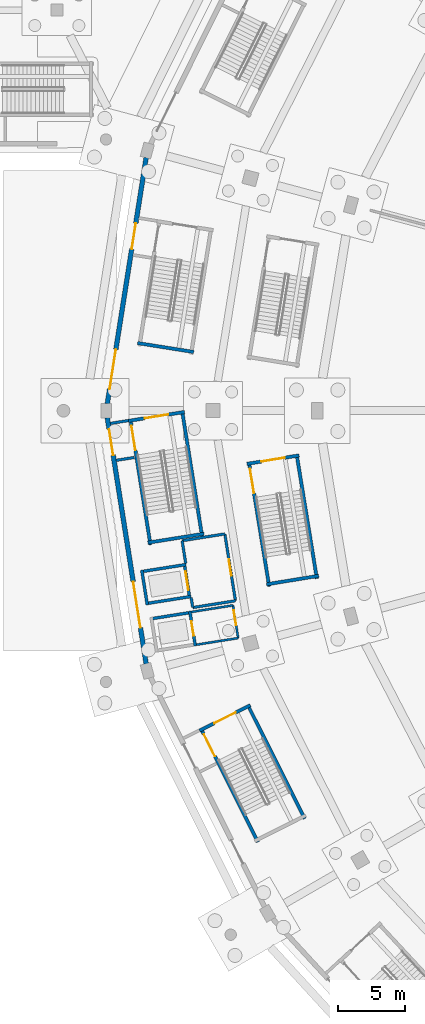
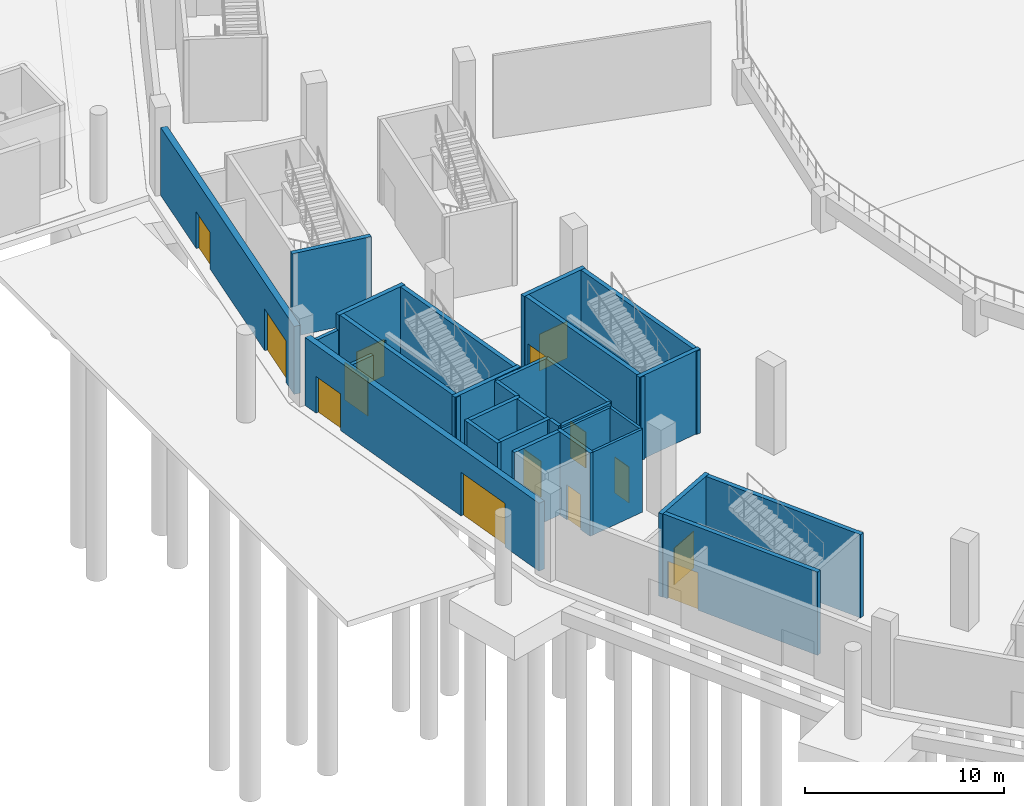
# One storey, part 34 of 103: 30 walls, 14 doors, 14 openings.
"""IFC4 building model written with IfcOpenShell, lengths in metres."""

from ifc_helpers import new_model, si_unit, direction, frame, frame_2d, origin, place, context, subcontext, project, spatial, rectangle, extrude, material, layer, layer_set, type_object, element, fill, save


model = new_model("IFC4")

# Units and contexts
model_context = context("Model", 3, precision=1e-05, world=origin(), true_north=direction((0.0, 1.0)))
body_context = subcontext(model_context, "Body", "Model", "MODEL_VIEW")
ifc_project = project(units=[si_unit("LENGTHUNIT", "METRE"), si_unit("AREAUNIT", "SQUARE_METRE"), si_unit("VOLUMEUNIT", "CUBIC_METRE"), si_unit("PLANEANGLEUNIT", "RADIAN"), si_unit("MASSUNIT", "GRAM", prefix="KILO")], contexts=[model_context])

# Site, building, storey
site_placement = place(None, origin())
site = spatial("IfcSite", under=ifc_project, at=site_placement, CompositionType="ELEMENT")
building_placement = place(site_placement, origin())
building = spatial("IfcBuilding", under=site, at=building_placement, Name="Zevraka Park Crest Stadium", CompositionType="ELEMENT")
storey_placement = place(building_placement, origin())
storey = spatial("IfcBuildingStorey", under=building, at=storey_placement, Name="L00", CompositionType="ELEMENT", Elevation=0.0)

# Wall, openings, doors
ifc_material_1 = material(Name="Limestone and red clay brick masonry", Category="masonry")
ifc_layer_1 = layer(ifc_material_1, 0.35009765625)
ifc_layer_set_1 = layer_set([ifc_layer_1], Name="Limestone and red clay brick masonry")
wall_type_1 = type_object("IfcWallType", Name="EW01", PredefinedType="STANDARD", material=ifc_layer_set_1)
wall_1_placement = place(storey_placement, frame((21.782958984375, 92.52490234375, 0.0), z_axis=(0.0, 0.0, 1.0), x_axis=(0.155972645656, 0.987761374932, 0.0)))
wall_1 = element("IfcWall", 1, at=wall_1_placement, inside=storey, type_object=wall_type_1, Name="L00 Pointed-Arch Colonnade Wall EW01 11", PredefinedType="STANDARD", context=body_context, shape_type="SweptSolid", body=[
    extrude(rectangle(XDim=18.670654296875, YDim=0.35009765625, at=frame_2d((9.33544921875, 0.0))), origin(), (0.0, 0.0, 1.0), 4.1650390625),
])
opening_1_placement = place(wall_1_placement, frame((11.72998046875, 0.0, 0.0)))
opening_1 = element("IfcOpeningElement", 2, at=opening_1_placement, cuts=wall_1, Name="Opening D-L00-EX-ST12", PredefinedType="OPENING", context=body_context, shape_type="SweptSolid", body=[
    extrude(rectangle(XDim=1.949951171875, YDim=2.25, at=frame_2d((0.97509765625, 1.125))), frame((0.0, 0.18505859375, 0.0), z_axis=(0.0, -1.0, 0.0), x_axis=(1.0, 0.0, 0.0)), (0.0, 0.0, 1.0), 0.3701171875),
])
opening_2_placement = place(wall_1_placement, frame((1.114013671875, 0.0, 0.0)))
opening_2 = element("IfcOpeningElement", 3, at=opening_2_placement, cuts=wall_1, Name="Opening D-L00-E12", PredefinedType="OPENING", context=body_context, shape_type="SweptSolid", body=[
    extrude(rectangle(XDim=3.0, YDim=2.550048828125, at=frame_2d((1.5, 1.27490234375))), frame((0.0, 0.18505859375, 0.0), z_axis=(0.0, -1.0, 0.0), x_axis=(1.0, 0.0, 0.0)), (0.0, 0.0, 1.0), 0.3701171875),
])
ifc_material_2 = material(Name="Thermally broken architectural aluminium and safety glass", Category="aluminium")
door_type_1 = type_object("IfcDoorType", Name="ED04", OperationType="NOTDEFINED", PredefinedType="DOOR", material=ifc_material_2)
door_1_placement = place(opening_2_placement, origin())
door_1 = element("IfcDoor", 4, at=door_1_placement, inside=storey, type_object=door_type_1, Name="Concourse Final Exit E12", OperationType="DOUBLE_DOOR_SINGLE_SWING", OverallHeight=2.550048828125, OverallWidth=3.0, PredefinedType="DOOR", context=body_context, shape_type="SweptSolid", body=[
    extrude(rectangle(XDim=3.0, YDim=2.550048828125, at=frame_2d((1.5, 1.27490234375))), frame((0.0, 0.02490234375, 0.0), z_axis=(0.0, -1.0, 0.0), x_axis=(1.0, 0.0, 0.0)), (0.0, 0.0, 1.0), 0.050048828125),
])
fill(opening_2, door_1)
ifc_material_3 = material(Name="Thermally broken architectural aluminium and safety glass", Category="aluminium")
door_type_2 = type_object("IfcDoorType", Name="ED05", OperationType="NOTDEFINED", PredefinedType="DOOR", material=ifc_material_3)
door_2_placement = place(opening_1_placement, origin())
door_2 = element("IfcDoor", 5, at=door_2_placement, inside=storey, type_object=door_type_2, Name="Stair Final Exit Discharge Door D-L00-EX-ST12", OperationType="DOUBLE_DOOR_SINGLE_SWING", OverallHeight=2.25, OverallWidth=1.949951171875, PredefinedType="DOOR", context=body_context, shape_type="SweptSolid", body=[
    extrude(rectangle(XDim=1.949951171875, YDim=2.25, at=frame_2d((0.97509765625, 1.125))), frame((0.0, 0.02490234375, 0.0), z_axis=(0.0, -1.0, 0.0), x_axis=(1.0, 0.0, 0.0)), (0.0, 0.0, 1.0), 0.050048828125),
])
fill(opening_1, door_2)

wall_2_placement = place(storey_placement, frame((24.695068359375, 73.032958984375, 0.0), z_axis=(0.0, 0.0, 1.0), x_axis=(-0.155972645656, 0.987761374932, 0.0)))
wall_2 = element("IfcWall", 6, at=wall_2_placement, inside=storey, type_object=wall_type_1, Name="L00 Pointed-Arch Colonnade Wall EW01 12", PredefinedType="STANDARD", context=body_context, shape_type="SweptSolid", body=[
    extrude(rectangle(XDim=18.670654296875, YDim=0.35009765625, at=frame_2d((9.33544921875, 0.0))), origin(), (0.0, 0.0, 1.0), 4.1650390625),
])
opening_3_placement = place(wall_2_placement, frame((15.840087890625, 0.0, 0.0)))
opening_3 = element("IfcOpeningElement", 7, at=opening_3_placement, cuts=wall_2, Name="Opening D-L00-EX-ST13", PredefinedType="OPENING", context=body_context, shape_type="SweptSolid", body=[
    extrude(rectangle(XDim=1.949951171875, YDim=2.25, at=frame_2d((0.97509765625, 1.125))), frame((0.0, 0.18505859375, 0.0), z_axis=(0.0, -1.0, 0.0), x_axis=(1.0, 0.0, 0.0)), (0.0, 0.0, 1.0), 0.3701171875),
])
opening_4_placement = place(wall_2_placement, frame((2.73095703125, 0.0, 0.0)))
opening_4 = element("IfcOpeningElement", 8, at=opening_4_placement, cuts=wall_2, Name="Opening D-L00-E13", PredefinedType="OPENING", context=body_context, shape_type="SweptSolid", body=[
    extrude(rectangle(XDim=3.5, YDim=2.679931640625, at=frame_2d((1.75, 1.33984375))), frame((0.0, 0.18505859375, 0.0), z_axis=(0.0, -1.0, 0.0), x_axis=(1.0, 0.0, 0.0)), (0.0, 0.0, 1.0), 0.3701171875),
])
door_3_placement = place(opening_3_placement, origin())
door_3 = element("IfcDoor", 9, at=door_3_placement, inside=storey, type_object=door_type_2, Name="Stair Final Exit Discharge Door D-L00-EX-ST13", OperationType="DOUBLE_DOOR_SINGLE_SWING", OverallHeight=2.25, OverallWidth=1.949951171875, PredefinedType="DOOR", context=body_context, shape_type="SweptSolid", body=[
    extrude(rectangle(XDim=1.949951171875, YDim=2.25, at=frame_2d((0.97509765625, 1.125))), frame((0.0, 0.02490234375, 0.0), z_axis=(0.0, -1.0, 0.0), x_axis=(1.0, 0.0, 0.0)), (0.0, 0.0, 1.0), 0.050048828125),
])
fill(opening_3, door_3)
ifc_material_4 = material(Name="Thermally broken architectural aluminium and safety glass", Category="aluminium")
door_type_3 = type_object("IfcDoorType", Name="ED09", OperationType="NOTDEFINED", PredefinedType="DOOR", material=ifc_material_4)
door_4_placement = place(opening_4_placement, origin())
door_4 = element("IfcDoor", 10, at=door_4_placement, inside=storey, type_object=door_type_3, Name="Concourse Final Exit E13", OperationType="DOUBLE_DOOR_SINGLE_SWING", OverallHeight=2.679931640625, OverallWidth=3.5, PredefinedType="DOOR", context=body_context, shape_type="SweptSolid", body=[
    extrude(rectangle(XDim=3.5, YDim=2.679931640625, at=frame_2d((1.75, 1.33984375))), frame((0.0, 0.02490234375, 0.0), z_axis=(0.0, -1.0, 0.0), x_axis=(1.0, 0.0, 0.0)), (0.0, 0.0, 1.0), 0.050048828125),
])
fill(opening_4, door_4)

# Walls
ifc_material_5 = material(Name="Autoclaved aerated masonry blockwork", Category="masonry")
ifc_layer_2 = layer(ifc_material_5, 0.199951171875)
ifc_layer_set_2 = layer_set([ifc_layer_2], Name="Autoclaved aerated masonry blockwork")
wall_type_2 = type_object("IfcWallType", Name="IW01", PredefinedType="PARTITIONING", material=ifc_layer_set_2)
wall_3_placement = place(storey_placement, frame((23.361572265625, 91.262939453125, 0.0), z_axis=(0.0, 0.0, 1.0), x_axis=(-0.987762965329, -0.155962573473, 0.0)))
element("IfcWall", 11, at=wall_3_placement, inside=storey, type_object=wall_type_2, Name="Protected Exit Passageway Wall IW01 ST13-A", PredefinedType="PARTITIONING", context=body_context, shape_type="SweptSolid", body=[
    extrude(rectangle(XDim=1.371337890625, YDim=0.199951171875, at=frame_2d((0.685546875, 0.0))), origin(), (0.0, 0.0, 1.0), 4.1650390625),
])
wall_4_placement = place(storey_placement, frame((23.8017578125, 88.49755859375, 0.0), z_axis=(0.0, 0.0, 1.0), x_axis=(-0.987737028971, -0.15612674851, 0.0)))
element("IfcWall", 12, at=wall_4_placement, inside=storey, type_object=wall_type_2, Name="Protected Exit Passageway Wall IW01 ST13-B", PredefinedType="PARTITIONING", context=body_context, shape_type="SweptSolid", body=[
    extrude(rectangle(XDim=1.37451171875, YDim=0.199951171875, at=frame_2d((0.687255859375, 0.0))), origin(), (0.0, 0.0, 1.0), 4.1650390625),
])
wall_5_placement = place(storey_placement, frame((28.18310546875, 77.256103515625, 0.0), z_axis=(0.0, 0.0, 1.0), x_axis=(-0.157482870509, 0.987521719, 0.0)))
element("IfcWall", 13, at=wall_5_placement, inside=storey, type_object=wall_type_2, Name="Firefighting Lift Lobby Wall IW01 FL03 L00 BACKL", PredefinedType="PARTITIONING", context=body_context, shape_type="SweptSolid", body=[
    extrude(rectangle(XDim=0.750244140625, YDim=0.199951171875, at=frame_2d((0.375, 0.0))), origin(), (0.0, 0.0, 1.0), 5.080078125),
])
wall_6_placement = place(storey_placement, frame((27.656982421875, 80.56396484375, 0.0), z_axis=(0.0, 0.0, 1.0), x_axis=(-0.156960903537, 0.987604817101, 0.0)))
element("IfcWall", 14, at=wall_6_placement, inside=storey, type_object=wall_type_2, Name="Firefighting Lift Lobby Wall IW01 FL03 L00 BACKR", PredefinedType="PARTITIONING", context=body_context, shape_type="SweptSolid", body=[
    extrude(rectangle(XDim=1.72021484375, YDim=0.199951171875, at=frame_2d((0.860107421875, 0.0))), origin(), (0.0, 0.0, 1.0), 5.080078125),
])
wall_7_placement = place(storey_placement, frame((28.18310546875, 77.256103515625, 0.0), z_axis=(0.0, 0.0, 1.0), x_axis=(0.987633675984, 0.156779214382, 0.0)))
element("IfcWall", 15, at=wall_7_placement, inside=storey, type_object=wall_type_2, Name="Firefighting Lift Lobby Wall IW01 FL03 L00 LEFT", PredefinedType="PARTITIONING", context=body_context, shape_type="SweptSolid", body=[
    extrude(rectangle(XDim=3.239013671875, YDim=0.199951171875, at=frame_2d((1.61962890625, 0.0))), origin(), (0.0, 0.0, 1.0), 5.080078125),
])
wall_8_placement = place(storey_placement, frame((27.386962890625, 82.262939453125, 0.0), z_axis=(0.0, 0.0, 1.0), x_axis=(0.987629416648, 0.156806043797, 0.0)))
element("IfcWall", 16, at=wall_8_placement, inside=storey, type_object=wall_type_2, Name="Firefighting Lift Lobby Wall IW01 FL03 L00 RIGHT", PredefinedType="PARTITIONING", context=body_context, shape_type="SweptSolid", body=[
    extrude(rectangle(XDim=3.239990234375, YDim=0.199951171875, at=frame_2d((1.6201171875, 0.0))), origin(), (0.0, 0.0, 1.0), 5.080078125),
])

# Wall, opening, door
wall_9_placement = place(storey_placement, frame((31.382080078125, 77.763916015625, 0.0), z_axis=(0.0, 0.0, 1.0), x_axis=(-0.156842848291, 0.987623572491, 0.0)))
wall_9 = element("IfcWall", 17, at=wall_9_placement, inside=storey, type_object=wall_type_2, Name="Firefighting Lift Lobby Wall IW01 FL03 L00 FRONT", PredefinedType="PARTITIONING", context=body_context, shape_type="SweptSolid", body=[
    extrude(rectangle(XDim=5.06982421875, YDim=0.199951171875, at=frame_2d((2.534912109375, 0.0))), origin(), (0.0, 0.0, 1.0), 5.080078125),
])
opening_5_placement = place(wall_9_placement, frame((1.909912109375, 0.0, 0.0)))
opening_5 = element("IfcOpeningElement", 18, at=opening_5_placement, cuts=wall_9, Name="Opening D-L00-307", PredefinedType="OPENING", context=body_context, shape_type="SweptSolid", body=[
    extrude(rectangle(XDim=1.25, YDim=2.199951171875, at=frame_2d((0.625, 1.10009765625))), frame((0.0, 0.10986328125, 0.0), z_axis=(0.0, -1.0, 0.0), x_axis=(1.0, 0.0, 0.0)), (0.0, 0.0, 1.0), 0.219970703125),
])
ifc_material_6 = material(Name="Solid-core hardwood timber leaf in steel frame", Category="steel")
door_type_4 = type_object("IfcDoorType", Name="DR07", OperationType="NOTDEFINED", PredefinedType="DOOR", material=ifc_material_6)
door_5_placement = place(opening_5_placement, origin())
door_5 = element("IfcDoor", 19, at=door_5_placement, inside=storey, type_object=door_type_4, Name="Firefighting Lift Lobby FL03 Door D-L00-307", OperationType="SINGLE_SWING_LEFT", OverallHeight=2.199951171875, OverallWidth=1.25, PredefinedType="DOOR", context=body_context, shape_type="SweptSolid", body=[
    extrude(rectangle(XDim=1.25, YDim=2.199951171875, at=frame_2d((0.625, 1.10009765625))), frame((0.0, 0.02490234375, 0.0), z_axis=(0.0, -1.0, 0.0), x_axis=(1.0, 0.0, 0.0)), (0.0, 0.0, 1.0), 0.050048828125),
])
fill(opening_5, door_5)

# Walls
ifc_material_7 = material(Name="Fire-rated twin-stud acoustic drywall", Category="other")
ifc_layer_3 = layer(ifc_material_7, 0.159912109375)
ifc_layer_set_3 = layer_set([ifc_layer_3], Name="Fire-rated twin-stud acoustic drywall")
wall_type_3 = type_object("IfcWallType", Name="IW02", PredefinedType="PARTITIONING", material=ifc_layer_set_3)
wall_10_placement = place(storey_placement, frame((28.452880859375, 74.472900390625, 0.0), z_axis=(0.0, 0.0, 1.0), x_axis=(0.987632121619, 0.156789005818, 0.0)))
element("IfcWall", 20, at=wall_10_placement, inside=storey, type_object=wall_type_3, Name="Passenger Lift Lobby Wall IW02 PL03 L00 LEFT", PredefinedType="PARTITIONING", context=body_context, shape_type="SweptSolid", body=[
    extrude(rectangle(XDim=3.17041015625, YDim=0.159912109375, at=frame_2d((1.585205078125, 0.0))), origin(), (0.0, 0.0, 1.0), 5.080078125),
])
wall_11_placement = place(storey_placement, frame((28.06396484375, 76.923095703125, 0.0), z_axis=(0.0, 0.0, 1.0), x_axis=(0.987644043639, 0.156713889186, 0.0)))
element("IfcWall", 21, at=wall_11_placement, inside=storey, type_object=wall_type_3, Name="Passenger Lift Lobby Wall IW02 PL03 L00 RIGHT", PredefinedType="PARTITIONING", context=body_context, shape_type="SweptSolid", body=[
    extrude(rectangle(XDim=3.170166015625, YDim=0.159912109375, at=frame_2d((1.5849609375, 0.0))), origin(), (0.0, 0.0, 1.0), 5.080078125),
])

# Wall, opening, door
wall_12_placement = place(storey_placement, frame((31.583984375, 74.969970703125, 0.0), z_axis=(0.0, 0.0, 1.0), x_axis=(-0.156781258489, 0.987633351496, 0.0)))
wall_12 = element("IfcWall", 22, at=wall_12_placement, inside=storey, type_object=wall_type_3, Name="Passenger Lift Lobby Wall IW02 PL03 L00 FRONT", PredefinedType="PARTITIONING", context=body_context, shape_type="SweptSolid", body=[
    extrude(rectangle(XDim=2.480712890625, YDim=0.159912109375, at=frame_2d((1.240234375, 0.0))), origin(), (0.0, 0.0, 1.0), 5.080078125),
])
opening_6_placement = place(wall_12_placement, frame((0.962890625, 0.0, 0.0)))
opening_6 = element("IfcOpeningElement", 23, at=opening_6_placement, cuts=wall_12, Name="Opening D-L00-313", PredefinedType="OPENING", context=body_context, shape_type="SweptSolid", body=[
    extrude(rectangle(XDim=1.14990234375, YDim=2.199951171875, at=frame_2d((0.574951171875, 1.10009765625))), frame((0.0, 0.08984375, 0.0), z_axis=(0.0, -1.0, 0.0), x_axis=(1.0, 0.0, 0.0)), (0.0, 0.0, 1.0), 0.179931640625),
])
ifc_material_8 = material(Name="Solid-core hardwood timber leaf in steel frame", Category="steel")
door_type_5 = type_object("IfcDoorType", Name="DR03", OperationType="NOTDEFINED", PredefinedType="DOOR", material=ifc_material_8)
door_6_placement = place(opening_6_placement, origin())
door_6 = element("IfcDoor", 24, at=door_6_placement, inside=storey, type_object=door_type_5, Name="Passenger Lift Lobby PL03 Door D-L00-313", OperationType="SINGLE_SWING_LEFT", OverallHeight=2.199951171875, OverallWidth=1.14990234375, PredefinedType="DOOR", context=body_context, shape_type="SweptSolid", body=[
    extrude(rectangle(XDim=1.14990234375, YDim=2.199951171875, at=frame_2d((0.574951171875, 1.10009765625))), frame((0.0, 0.02490234375, 0.0), z_axis=(0.0, -1.0, 0.0), x_axis=(1.0, 0.0, 0.0)), (0.0, 0.0, 1.0), 0.050048828125),
])
fill(opening_6, door_6)

# Wall
ifc_material_9 = material(Name="Concrete C40/50", Category="concrete")
ifc_layer_4 = layer(ifc_material_9, 0.25)
ifc_layer_set_4 = layer_set([ifc_layer_4], Name="Concrete C40/50")
wall_type_4 = type_object("IfcWallType", Name="SW01", PredefinedType="SHEAR", material=ifc_layer_set_4)
wall_13_placement = place(storey_placement, frame((24.05078125, 97.067626953125, 0.0), z_axis=(0.0, 0.0, 1.0), x_axis=(0.987556243614, -0.157266225551, 0.0)))
element("IfcWall", 25, at=wall_13_placement, inside=storey, type_object=wall_type_4, Name="Stair Core Shear Wall SW01 ST12 L00 far", PredefinedType="SHEAR", context=body_context, shape_type="SweptSolid", body=[
    extrude(rectangle(XDim=4.259765625, YDim=0.25, at=frame_2d((2.1298828125, 0.0))), origin(), (0.0, 0.0, 1.0), 5.10009765625),
])

# Wall, opening, door
wall_14_placement = place(storey_placement, frame((25.015625, 81.95703125, 0.0), z_axis=(0.0, 0.0, 1.0), x_axis=(-0.157268610044, 0.987555863886, 0.0)))
wall_14 = element("IfcWall", 26, at=wall_14_placement, inside=storey, type_object=wall_type_4, Name="Stair Core Shear Wall SW01 ST13 L00 left", PredefinedType="SHEAR", context=body_context, shape_type="SweptSolid", body=[
    extrude(rectangle(XDim=9.55029296875, YDim=0.25, at=frame_2d((4.775146484375, 0.0))), origin(), (0.0, 0.0, 1.0), 5.10009765625),
])
opening_7_placement = place(wall_14_placement, frame((7.18994140625, 0.0, 0.0)))
opening_7 = element("IfcOpeningElement", 27, at=opening_7_placement, cuts=wall_14, Name="Opening D-L00-074", PredefinedType="OPENING", context=body_context, shape_type="SweptSolid", body=[
    extrude(rectangle(XDim=1.85009765625, YDim=2.300048828125, at=frame_2d((0.925048828125, 1.14990234375))), frame((0.0, 0.135009765625, 0.0), z_axis=(0.0, -1.0, 0.0), x_axis=(1.0, 0.0, 0.0)), (0.0, 0.0, 1.0), 0.27001953125),
])
ifc_material_10 = material(Name="Solid-core hardwood timber leaf in steel frame", Category="steel")
door_type_6 = type_object("IfcDoorType", Name="DR05", OperationType="NOTDEFINED", PredefinedType="DOOR", material=ifc_material_10)
door_7_placement = place(opening_7_placement, origin())
door_7 = element("IfcDoor", 28, at=door_7_placement, inside=storey, type_object=door_type_6, Name="Stair Exit Discharge Door ST13", OperationType="DOUBLE_DOOR_SINGLE_SWING", OverallHeight=2.300048828125, OverallWidth=1.85009765625, PredefinedType="DOOR", context=body_context, shape_type="SweptSolid", body=[
    extrude(rectangle(XDim=1.85009765625, YDim=2.300048828125, at=frame_2d((0.925048828125, 1.14990234375))), frame((0.0, 0.02490234375, 0.0), z_axis=(0.0, -1.0, 0.0), x_axis=(1.0, 0.0, 0.0)), (0.0, 0.0, 1.0), 0.050048828125),
])
fill(opening_7, door_7)

# Wall
wall_15_placement = place(storey_placement, frame((28.88671875, 82.573486328125, 0.0), z_axis=(0.0, 0.0, 1.0), x_axis=(-0.157243678356, 0.987559833943, 0.0)))
element("IfcWall", 29, at=wall_15_placement, inside=storey, type_object=wall_type_4, Name="Stair Core Shear Wall SW01 ST13 L00 right", PredefinedType="SHEAR", context=body_context, shape_type="SweptSolid", body=[
    extrude(rectangle(XDim=9.55029296875, YDim=0.25, at=frame_2d((4.775146484375, 0.0))), origin(), (0.0, 0.0, 1.0), 5.10009765625),
])

# Wall, opening, door
wall_16_placement = place(storey_placement, frame((27.572509765625, 91.907958984375, 0.0), z_axis=(0.0, 0.0, 1.0), x_axis=(-0.987557660991, -0.157257324847, 0.0)))
wall_16 = element("IfcWall", 30, at=wall_16_placement, inside=storey, type_object=wall_type_4, Name="Stair Core Shear Wall SW01 ST13 L00 near", PredefinedType="SHEAR", context=body_context, shape_type="SweptSolid", body=[
    extrude(rectangle(XDim=4.260009765625, YDim=0.25, at=frame_2d((2.1298828125, 0.0))), origin(), (0.0, 0.0, 1.0), 5.10009765625),
])
opening_8_placement = place(wall_16_placement, frame((1.22998046875, 0.0, 0.0)))
opening_8 = element("IfcOpeningElement", 31, at=opening_8_placement, cuts=wall_16, Name="Opening D-L00-073", PredefinedType="OPENING", context=body_context, shape_type="SweptSolid", body=[
    extrude(rectangle(XDim=1.800048828125, YDim=2.25, at=frame_2d((0.89990234375, 1.125))), frame((0.0, 0.135009765625, 0.0), z_axis=(0.0, -1.0, 0.0), x_axis=(1.0, 0.0, 0.0)), (0.0, 0.0, 1.0), 0.27001953125),
])
ifc_material_11 = material(Name="Solid-core hardwood timber leaf in steel frame", Category="steel")
door_type_7 = type_object("IfcDoorType", Name="DR04", OperationType="NOTDEFINED", PredefinedType="DOOR", material=ifc_material_11)
door_8_placement = place(opening_8_placement, origin())
door_8 = element("IfcDoor", 32, at=door_8_placement, inside=storey, type_object=door_type_7, Name="Protected Stair Entry Door ST13 L00", OperationType="DOUBLE_DOOR_SINGLE_SWING", OverallHeight=2.25, OverallWidth=1.800048828125, PredefinedType="DOOR", context=body_context, shape_type="SweptSolid", body=[
    extrude(rectangle(XDim=1.800048828125, YDim=2.25, at=frame_2d((0.89990234375, 1.125))), frame((0.0, 0.02490234375, 0.0), z_axis=(0.0, -1.0, 0.0), x_axis=(1.0, 0.0, 0.0)), (0.0, 0.0, 1.0), 0.050048828125),
])
fill(opening_8, door_8)

# Wall
wall_17_placement = place(storey_placement, frame((24.818603515625, 82.113037109375, 0.0), z_axis=(0.0, 0.0, 1.0), x_axis=(0.987557660991, 0.157257324847, 0.0)))
element("IfcWall", 33, at=wall_17_placement, inside=storey, type_object=wall_type_4, Name="Stair Core Shear Wall SW01 ST13 L00 far", PredefinedType="SHEAR", context=body_context, shape_type="SweptSolid", body=[
    extrude(rectangle(XDim=4.260009765625, YDim=0.25, at=frame_2d((2.1298828125, 0.0))), origin(), (0.0, 0.0, 1.0), 5.10009765625),
])

# Wall, opening, door
wall_18_placement = place(storey_placement, frame((33.06298828125, 59.687255859375, 0.0), z_axis=(0.0, 0.0, 1.0), x_axis=(-0.447919041961, 0.894074119885, 0.0)))
wall_18 = element("IfcWall", 34, at=wall_18_placement, inside=storey, type_object=wall_type_4, Name="Stair Core Shear Wall SW01 ST14 L00 left", PredefinedType="SHEAR", context=body_context, shape_type="SweptSolid", body=[
    extrude(rectangle(XDim=9.5498046875, YDim=0.25, at=frame_2d((4.77490234375, 0.0))), origin(), (0.0, 0.0, 1.0), 5.10009765625),
])
opening_9_placement = place(wall_18_placement, frame((7.18994140625, 0.0, 0.0)))
opening_9 = element("IfcOpeningElement", 35, at=opening_9_placement, cuts=wall_18, Name="Opening D-L00-081", PredefinedType="OPENING", context=body_context, shape_type="SweptSolid", body=[
    extrude(rectangle(XDim=1.85009765625, YDim=2.300048828125, at=frame_2d((0.925048828125, 1.14990234375))), frame((0.0, 0.135009765625, 0.0), z_axis=(0.0, -1.0, 0.0), x_axis=(1.0, 0.0, 0.0)), (0.0, 0.0, 1.0), 0.27001953125),
])
door_9_placement = place(opening_9_placement, origin())
door_9 = element("IfcDoor", 36, at=door_9_placement, inside=storey, type_object=door_type_6, Name="Stair Exit Discharge Door ST14", OperationType="DOUBLE_DOOR_SINGLE_SWING", OverallHeight=2.300048828125, OverallWidth=1.85009765625, PredefinedType="DOOR", context=body_context, shape_type="SweptSolid", body=[
    extrude(rectangle(XDim=1.85009765625, YDim=2.300048828125, at=frame_2d((0.925048828125, 1.14990234375))), frame((0.0, 0.02490234375, 0.0), z_axis=(0.0, -1.0, 0.0), x_axis=(1.0, 0.0, 0.0)), (0.0, 0.0, 1.0), 0.050048828125),
])
fill(opening_9, door_9)

# Wall
wall_19_placement = place(storey_placement, frame((36.56787109375, 61.443115234375, 0.0), z_axis=(0.0, 0.0, 1.0), x_axis=(-0.447919041961, 0.894074119885, 0.0)))
element("IfcWall", 37, at=wall_19_placement, inside=storey, type_object=wall_type_4, Name="Stair Core Shear Wall SW01 ST14 L00 right", PredefinedType="SHEAR", context=body_context, shape_type="SweptSolid", body=[
    extrude(rectangle(XDim=9.5498046875, YDim=0.25, at=frame_2d((4.77490234375, 0.0))), origin(), (0.0, 0.0, 1.0), 5.10009765625),
])

# Wall, opening, door
wall_20_placement = place(storey_placement, frame((32.498291015625, 69.94580078125, 0.0), z_axis=(0.0, 0.0, 1.0), x_axis=(-0.89409454548, -0.447878268888, 0.0)))
wall_20 = element("IfcWall", 38, at=wall_20_placement, inside=storey, type_object=wall_type_4, Name="Stair Core Shear Wall SW01 ST14 L00 near", PredefinedType="SHEAR", context=body_context, shape_type="SweptSolid", body=[
    extrude(rectangle(XDim=4.260009765625, YDim=0.25, at=frame_2d((2.1298828125, 0.0))), origin(), (0.0, 0.0, 1.0), 5.10009765625),
])
opening_10_placement = place(wall_20_placement, frame((1.22998046875, 0.0, 0.0)))
opening_10 = element("IfcOpeningElement", 39, at=opening_10_placement, cuts=wall_20, Name="Opening D-L00-080", PredefinedType="OPENING", context=body_context, shape_type="SweptSolid", body=[
    extrude(rectangle(XDim=1.800048828125, YDim=2.25, at=frame_2d((0.89990234375, 1.125))), frame((0.0, 0.135009765625, 0.0), z_axis=(0.0, -1.0, 0.0), x_axis=(1.0, 0.0, 0.0)), (0.0, 0.0, 1.0), 0.27001953125),
])
door_10_placement = place(opening_10_placement, origin())
door_10 = element("IfcDoor", 40, at=door_10_placement, inside=storey, type_object=door_type_7, Name="Protected Stair Entry Door ST14 L00", OperationType="DOUBLE_DOOR_SINGLE_SWING", OverallHeight=2.25, OverallWidth=1.800048828125, PredefinedType="DOOR", context=body_context, shape_type="SweptSolid", body=[
    extrude(rectangle(XDim=1.800048828125, YDim=2.25, at=frame_2d((0.89990234375, 1.125))), frame((0.0, 0.02490234375, 0.0), z_axis=(0.0, -1.0, 0.0), x_axis=(1.0, 0.0, 0.0)), (0.0, 0.0, 1.0), 0.050048828125),
])
fill(opening_10, door_10)

wall_21_placement = place(storey_placement, frame((33.908447265625, 78.8408203125, 0.0), z_axis=(0.0, 0.0, 1.0), x_axis=(-0.160694331821, 0.987004220721, 0.0)))
wall_21 = element("IfcWall", 41, at=wall_21_placement, inside=storey, type_object=wall_type_4, Name="Stair Core Shear Wall SW01 ST39 L00 left", PredefinedType="SHEAR", context=body_context, shape_type="SweptSolid", body=[
    extrude(rectangle(XDim=9.449951171875, YDim=0.25, at=frame_2d((4.72509765625, 0.0))), origin(), (0.0, 0.0, 1.0), 5.10009765625),
])
opening_11_placement = place(wall_21_placement, frame((7.090087890625, 0.0, 0.0)))
opening_11 = element("IfcOpeningElement", 42, at=opening_11_placement, cuts=wall_21, Name="Opening D-L00-210", PredefinedType="OPENING", context=body_context, shape_type="SweptSolid", body=[
    extrude(rectangle(XDim=1.85009765625, YDim=2.300048828125, at=frame_2d((0.925048828125, 1.14990234375))), frame((0.0, 0.135009765625, 0.0), z_axis=(0.0, -1.0, 0.0), x_axis=(1.0, 0.0, 0.0)), (0.0, 0.0, 1.0), 0.27001953125),
])
door_11_placement = place(opening_11_placement, origin())
door_11 = element("IfcDoor", 43, at=door_11_placement, inside=storey, type_object=door_type_6, Name="Stair Exit Discharge Door ST39", OperationType="DOUBLE_DOOR_SINGLE_SWING", OverallHeight=2.300048828125, OverallWidth=1.85009765625, PredefinedType="DOOR", context=body_context, shape_type="SweptSolid", body=[
    extrude(rectangle(XDim=1.85009765625, YDim=2.300048828125, at=frame_2d((0.925048828125, 1.14990234375))), frame((0.0, 0.02490234375, 0.0), z_axis=(0.0, -1.0, 0.0), x_axis=(1.0, 0.0, 0.0)), (0.0, 0.0, 1.0), 0.050048828125),
])
fill(opening_11, door_11)

# Wall
wall_22_placement = place(storey_placement, frame((37.4814453125, 79.42236328125, 0.0), z_axis=(0.0, 0.0, 1.0), x_axis=(-0.160690234322, 0.987004887827, 0.0)))
element("IfcWall", 44, at=wall_22_placement, inside=storey, type_object=wall_type_4, Name="Stair Core Shear Wall SW01 ST39 L00 right", PredefinedType="SHEAR", context=body_context, shape_type="SweptSolid", body=[
    extrude(rectangle(XDim=9.4501953125, YDim=0.25, at=frame_2d((4.72509765625, 0.0))), origin(), (0.0, 0.0, 1.0), 5.10009765625),
])

# Wall, opening, door
wall_23_placement = place(storey_placement, frame((36.150634765625, 88.653564453125, 0.0), z_axis=(0.0, 0.0, 1.0), x_axis=(-0.986998628025, -0.160728679072, 0.0)))
wall_23 = element("IfcWall", 45, at=wall_23_placement, inside=storey, type_object=wall_type_4, Name="Stair Core Shear Wall SW01 ST39 L00 near", PredefinedType="SHEAR", context=body_context, shape_type="SweptSolid", body=[
    extrude(rectangle(XDim=3.9599609375, YDim=0.25, at=frame_2d((1.97998046875, 0.0))), origin(), (0.0, 0.0, 1.0), 5.10009765625),
])
opening_12_placement = place(wall_23_placement, frame((1.080078125, 0.0, 0.0)))
opening_12 = element("IfcOpeningElement", 46, at=opening_12_placement, cuts=wall_23, Name="Opening D-L00-209", PredefinedType="OPENING", context=body_context, shape_type="SweptSolid", body=[
    extrude(rectangle(XDim=1.800048828125, YDim=2.25, at=frame_2d((0.89990234375, 1.125))), frame((0.0, 0.135009765625, 0.0), z_axis=(0.0, -1.0, 0.0), x_axis=(1.0, 0.0, 0.0)), (0.0, 0.0, 1.0), 0.27001953125),
])
door_12_placement = place(opening_12_placement, origin())
door_12 = element("IfcDoor", 47, at=door_12_placement, inside=storey, type_object=door_type_7, Name="Protected Stair Entry Door ST39 L00", OperationType="DOUBLE_DOOR_SINGLE_SWING", OverallHeight=2.25, OverallWidth=1.800048828125, PredefinedType="DOOR", context=body_context, shape_type="SweptSolid", body=[
    extrude(rectangle(XDim=1.800048828125, YDim=2.25, at=frame_2d((0.89990234375, 1.125))), frame((0.0, 0.02490234375, 0.0), z_axis=(0.0, -1.0, 0.0), x_axis=(1.0, 0.0, 0.0)), (0.0, 0.0, 1.0), 0.050048828125),
])
fill(opening_12, door_12)

# Walls
wall_24_placement = place(storey_placement, frame((33.7109375, 78.99609375, 0.0), z_axis=(0.0, 0.0, 1.0), x_axis=(0.987009998221, 0.160658841684, 0.0)))
element("IfcWall", 48, at=wall_24_placement, inside=storey, type_object=wall_type_4, Name="Stair Core Shear Wall SW01 ST39 L00 far", PredefinedType="SHEAR", context=body_context, shape_type="SweptSolid", body=[
    extrude(rectangle(XDim=3.960205078125, YDim=0.25, at=frame_2d((1.97998046875, 0.0))), origin(), (0.0, 0.0, 1.0), 5.10009765625),
])
ifc_material_12 = material(Name="Concrete C40/50", Category="concrete")
ifc_layer_5 = layer(ifc_material_12, 0.219970703125)
ifc_layer_set_5 = layer_set([ifc_layer_5], Name="Concrete C40/50")
wall_type_5 = type_object("IfcWallType", Name="SW02", PredefinedType="SHEAR", material=ifc_layer_set_5)
wall_25_placement = place(storey_placement, frame((24.364990234375, 80.06298828125, 0.0), z_axis=(0.0, 0.0, 1.0), x_axis=(0.156807626334, -0.987629165387, 0.0)))
element("IfcWall", 49, at=wall_25_placement, inside=storey, type_object=wall_type_5, Name="Lift Shaft Shear Wall SW02 FL03 L00-1", PredefinedType="SHEAR", context=body_context, shape_type="SweptSolid", body=[
    extrude(rectangle(XDim=2.640625, YDim=0.219970703125, at=frame_2d((1.3203125, 0.0))), origin(), (0.0, 0.0, 1.0), 5.10009765625),
])
wall_26_placement = place(storey_placement, frame((24.653076171875, 77.547119140625, 0.0), z_axis=(0.0, 0.0, 1.0), x_axis=(0.987703627881, 0.156337914372, 0.0)))
element("IfcWall", 50, at=wall_26_placement, inside=storey, type_object=wall_type_5, Name="Lift Shaft Shear Wall SW02 FL03 L00-2", PredefinedType="SHEAR", context=body_context, shape_type="SweptSolid", body=[
    extrude(rectangle(XDim=3.440185546875, YDim=0.219970703125, at=frame_2d((1.72021484375, 0.0))), origin(), (0.0, 0.0, 1.0), 5.10009765625),
])

# Wall, opening, door
wall_27_placement = place(storey_placement, frame((27.958984375, 77.958984375, 0.0), z_axis=(0.0, 0.0, 1.0), x_axis=(-0.156807626334, 0.987629165387, 0.0)))
wall_27 = element("IfcWall", 51, at=wall_27_placement, inside=storey, type_object=wall_type_5, Name="Lift Shaft Shear Wall SW02 FL03 L00-3", PredefinedType="SHEAR", context=body_context, shape_type="SweptSolid", body=[
    extrude(rectangle(XDim=2.640625, YDim=0.219970703125, at=frame_2d((1.3203125, 0.0))), origin(), (0.0, 0.0, 1.0), 5.10009765625),
])
opening_13_placement = place(wall_27_placement, frame((0.6201171875, 0.0, 0.0)))
opening_13 = element("IfcOpeningElement", 52, at=opening_13_placement, cuts=wall_27, Name="Opening LD-FL03-L00", PredefinedType="OPENING", context=body_context, shape_type="SweptSolid", body=[
    extrude(rectangle(XDim=1.39990234375, YDim=2.199951171875, at=frame_2d((0.699951171875, 1.10009765625))), frame((0.0, 0.119873046875, 0.0), z_axis=(0.0, -1.0, 0.0), x_axis=(1.0, 0.0, 0.0)), (0.0, 0.0, 1.0), 0.239990234375),
])
ifc_material_13 = material(Name="Brushed stainless steel lift landing doors", Category="steel")
door_type_8 = type_object("IfcDoorType", Name="LD01", OperationType="NOTDEFINED", PredefinedType="DOOR", material=ifc_material_13)
door_13_placement = place(opening_13_placement, origin())
door_13 = element("IfcDoor", 53, at=door_13_placement, inside=storey, type_object=door_type_8, Name="Lift Sliding Landing Door LD-FL03-L00", OperationType="SLIDING_TO_LEFT", OverallHeight=2.199951171875, OverallWidth=1.39990234375, PredefinedType="DOOR", context=body_context, shape_type="SweptSolid", body=[
    extrude(rectangle(XDim=1.39990234375, YDim=2.199951171875, at=frame_2d((0.699951171875, 1.10009765625))), frame((0.0, 0.02490234375, 0.0), z_axis=(0.0, -1.0, 0.0), x_axis=(1.0, 0.0, 0.0)), (0.0, 0.0, 1.0), 0.050048828125),
])
fill(opening_13, door_13)

# Wall
wall_28_placement = place(storey_placement, frame((27.6708984375, 80.47509765625, 0.0), z_axis=(0.0, 0.0, 1.0), x_axis=(-0.987692667337, -0.156407144619, 0.0)))
element("IfcWall", 54, at=wall_28_placement, inside=storey, type_object=wall_type_5, Name="Lift Shaft Shear Wall SW02 FL03 L00-4", PredefinedType="SHEAR", context=body_context, shape_type="SweptSolid", body=[
    extrude(rectangle(XDim=3.440185546875, YDim=0.219970703125, at=frame_2d((1.72021484375, 0.0))), origin(), (0.0, 0.0, 1.0), 5.10009765625),
])

# Wall, opening, door
wall_29_placement = place(storey_placement, frame((28.3759765625, 74.3798828125, 0.0), z_axis=(0.0, 0.0, 1.0), x_axis=(-0.156793308963, 0.987631438475, 0.0)))
wall_29 = element("IfcWall", 55, at=wall_29_placement, inside=storey, type_object=wall_type_5, Name="Lift Shaft Shear Wall SW02 PL03 L00-3", PredefinedType="SHEAR", context=body_context, shape_type="SweptSolid", body=[
    extrude(rectangle(XDim=2.640869140625, YDim=0.219970703125, at=frame_2d((1.3203125, 0.0))), origin(), (0.0, 0.0, 1.0), 5.10009765625),
])
opening_14_placement = place(wall_29_placement, frame((0.77001953125, 0.0, 0.0)))
opening_14 = element("IfcOpeningElement", 56, at=opening_14_placement, cuts=wall_29, Name="Opening LD-PL03-L00", PredefinedType="OPENING", context=body_context, shape_type="SweptSolid", body=[
    extrude(rectangle(XDim=1.10009765625, YDim=2.14990234375, at=frame_2d((0.550048828125, 1.074951171875))), frame((0.0, 0.119873046875, 0.0), z_axis=(0.0, -1.0, 0.0), x_axis=(1.0, 0.0, 0.0)), (0.0, 0.0, 1.0), 0.239990234375),
])
ifc_material_14 = material(Name="Brushed stainless steel lift landing doors", Category="steel")
door_type_9 = type_object("IfcDoorType", Name="LD02", OperationType="NOTDEFINED", PredefinedType="DOOR", material=ifc_material_14)
door_14_placement = place(opening_14_placement, origin())
door_14 = element("IfcDoor", 57, at=door_14_placement, inside=storey, type_object=door_type_9, Name="Lift Sliding Landing Door LD-PL03-L00", OperationType="SLIDING_TO_LEFT", OverallHeight=2.14990234375, OverallWidth=1.10009765625, PredefinedType="DOOR", context=body_context, shape_type="SweptSolid", body=[
    extrude(rectangle(XDim=1.10009765625, YDim=2.14990234375, at=frame_2d((0.550048828125, 1.074951171875))), frame((0.0, 0.02490234375, 0.0), z_axis=(0.0, -1.0, 0.0), x_axis=(1.0, 0.0, 0.0)), (0.0, 0.0, 1.0), 0.050048828125),
])
fill(opening_14, door_14)

# Wall
wall_30_placement = place(storey_placement, frame((28.087890625, 76.89599609375, 0.0), z_axis=(0.0, 0.0, 1.0), x_axis=(-0.98765558045, -0.156641164471, 0.0)))
element("IfcWall", 58, at=wall_30_placement, inside=storey, type_object=wall_type_5, Name="Lift Shaft Shear Wall SW02 PL03 L00-4", PredefinedType="SHEAR", context=body_context, shape_type="SweptSolid", body=[
    extrude(rectangle(XDim=3.140625, YDim=0.219970703125, at=frame_2d((1.5703125, 0.0))), origin(), (0.0, 0.0, 1.0), 5.10009765625),
])

save(model, "model.ifc")
